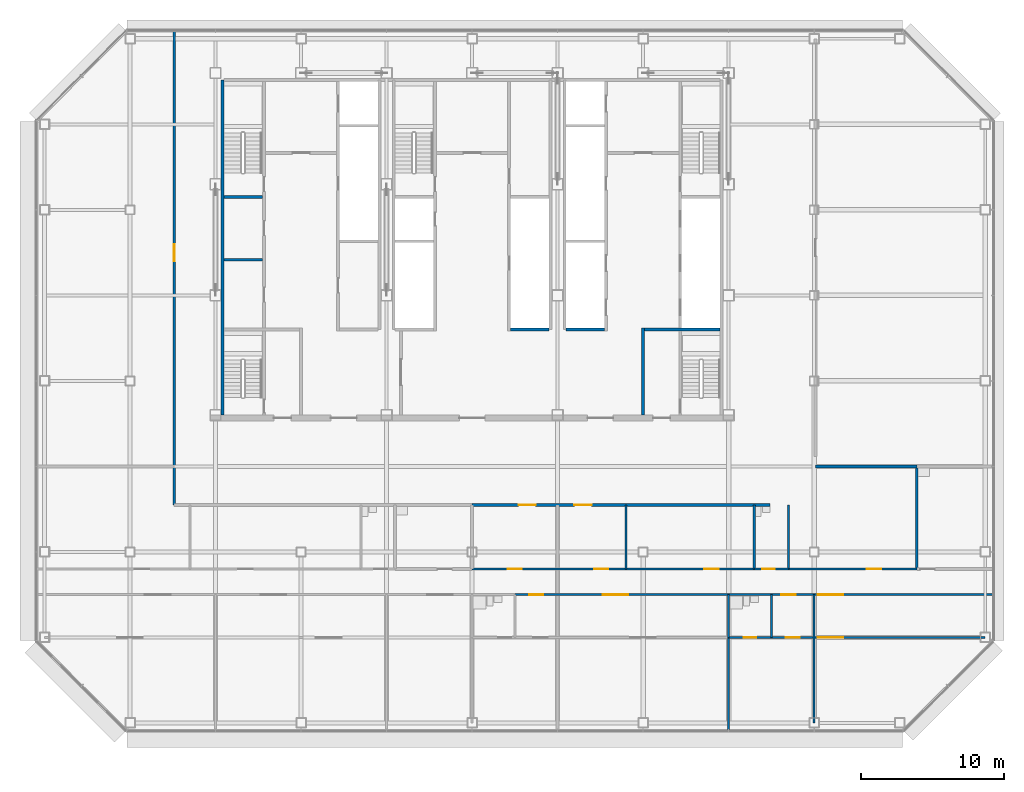
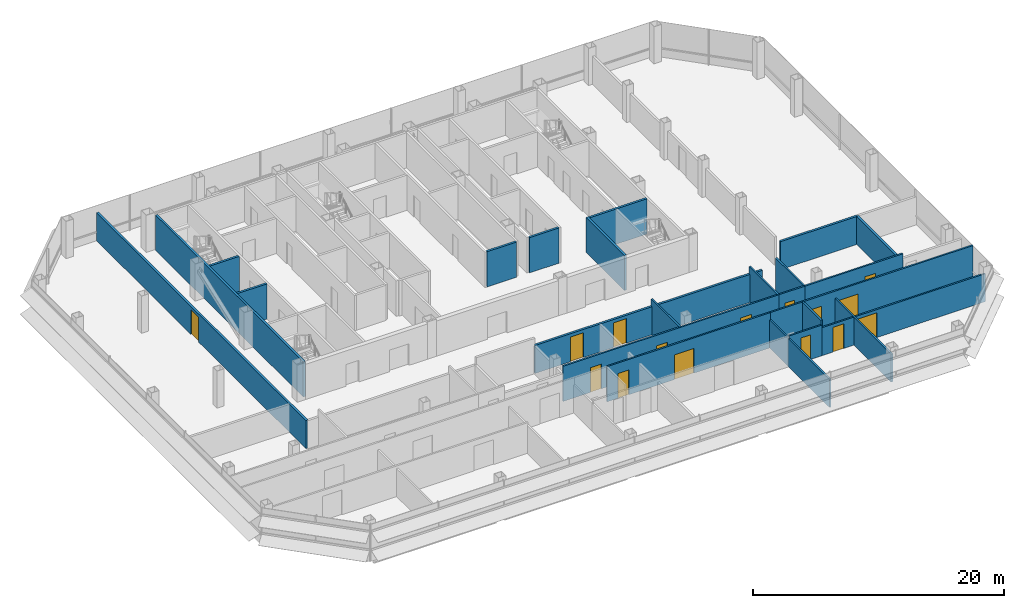
# One storey, part 20 of 24: 26 walls, 15 doors, 15 openings.
"""IFC4 building model written with IfcOpenShell, lengths in metres."""

from ifc_helpers import new_model, si_unit, direction, frame, frame_2d, origin, place, context, subcontext, project, spatial, rectangle, extrude, material, layer, layer_set, type_object, element, fill, save


model = new_model("IFC4")

# Units and contexts
model_context = context("Model", 3, precision=1e-05, world=origin(), true_north=direction((0.0, 1.0)))
body_context = subcontext(model_context, "Body", "Model", "MODEL_VIEW")
ifc_project = project(units=[si_unit("LENGTHUNIT", "METRE"), si_unit("AREAUNIT", "SQUARE_METRE"), si_unit("VOLUMEUNIT", "CUBIC_METRE"), si_unit("PLANEANGLEUNIT", "RADIAN"), si_unit("MASSUNIT", "GRAM", prefix="KILO")], contexts=[model_context])

# Site, building, storey
site_placement = place(None, origin())
site = spatial("IfcSite", under=ifc_project, at=site_placement, CompositionType="ELEMENT")
building_placement = place(site_placement, origin())
building = spatial("IfcBuilding", under=site, at=building_placement, Name="Sorahane Residences", CompositionType="ELEMENT")
storey_placement = place(building_placement, frame((0.0, 0.0, 174.39990234375)))
storey = spatial("IfcBuildingStorey", under=building, at=storey_placement, Name="L40", CompositionType="ELEMENT", Elevation=174.39990234375)

# Wall
ifc_material_1 = material(Name="Concrete C30", Category="concrete")
ifc_layer_1 = layer(ifc_material_1, 0.199951171875)
ifc_layer_set_1 = layer_set([ifc_layer_1], Name="Core face wall 200 EI 180")
wall_type_1 = type_object("IfcWallType", Name="Core face wall 200 EI 180", PredefinedType="SOLIDWALL", material=ifc_layer_set_1)
wall_1_placement = place(storey_placement, frame((6.5, 21.60009765625, 0.0), z_axis=(0.0, 0.0, 1.0), x_axis=(0.0, 1.0, 0.0)))
element("IfcWall", 1, at=wall_1_placement, inside=storey, type_object=wall_type_1, Name="L40 core face wall", PredefinedType="SOLIDWALL", context=body_context, shape_type="SweptSolid", body=[
    extrude(rectangle(XDim=23.5, YDim=0.199951171875, at=frame_2d((11.75, 0.0))), origin(), (0.0, 0.0, 1.0), 3.420166015625),
])

# Wall, opening, door
ifc_material_2 = material(Name="Concrete blockwork C20 wall", Category="masonry")
ifc_layer_2 = layer(ifc_material_2, 0.199951171875)
ifc_layer_set_2 = layer_set([ifc_layer_2], Name="Corridor wall 200 EI 120")
wall_type_2 = type_object("IfcWallType", Name="Corridor wall 200 EI 120", PredefinedType="SOLIDWALL", material=ifc_layer_set_2)
wall_2_placement = place(storey_placement, frame((3.10009765625, 15.300048828125, 0.0), z_axis=(0.0, 0.0, 1.0), x_axis=(0.0, 1.0, 0.0)))
wall_2 = element("IfcWall", 2, at=wall_2_placement, inside=storey, type_object=wall_type_2, Name="L40 corridor wall", PredefinedType="SOLIDWALL", context=body_context, shape_type="SweptSolid", body=[
    extrude(rectangle(XDim=33.300048828125, YDim=0.199951171875, at=frame_2d((16.64990234375, 0.0))), origin(), (0.0, 0.0, 1.0), 2.72021484375),
])
opening_1_placement = place(wall_2_placement, frame((17.10009765625, 0.0, 0.0)))
opening_1 = element("IfcOpeningElement", 3, at=opening_1_placement, cuts=wall_2, Name="Opening L40-28", PredefinedType="OPENING", context=body_context, shape_type="SweptSolid", body=[
    extrude(rectangle(XDim=1.199951171875, YDim=2.39990234375, at=frame_2d((0.60009765625, 1.199951171875))), frame((0.0, 0.10986328125, 0.0), z_axis=(0.0, -1.0, 0.0), x_axis=(1.0, 0.0, 0.0)), (0.0, 0.0, 1.0), 0.219970703125),
])
ifc_material_3 = material(Name="Steel", Category="steel")
door_type_1 = type_object("IfcDoorType", Name="Lobby door 1200x2400 FD60", OperationType="NOTDEFINED", PredefinedType="DOOR", material=ifc_material_3)
door_1_placement = place(opening_1_placement, origin())
door_1 = element("IfcDoor", 4, at=door_1_placement, inside=storey, type_object=door_type_1, Name="Lobby door L40-28", OperationType="SINGLE_SWING_LEFT", OverallHeight=2.39990234375, OverallWidth=1.199951171875, PredefinedType="DOOR", context=body_context, shape_type="SweptSolid", body=[
    extrude(rectangle(XDim=1.199951171875, YDim=2.39990234375, at=frame_2d((0.60009765625, 1.199951171875))), frame((0.0, 0.02490234375, 0.0), z_axis=(0.0, -1.0, 0.0), x_axis=(1.0, 0.0, 0.0)), (0.0, 0.0, 1.0), 0.050048828125),
])
fill(opening_1, door_1)

# Wall, openings, doors
wall_3_placement = place(storey_placement, frame((24.0, 15.300048828125, 0.0), z_axis=(0.0, 0.0, 1.0), x_axis=(1.0, 0.0, 0.0)))
wall_3 = element("IfcWall", 5, at=wall_3_placement, inside=storey, type_object=wall_type_2, Name="L40 corridor wall", PredefinedType="SOLIDWALL", context=body_context, shape_type="SweptSolid", body=[
    extrude(rectangle(XDim=20.89990234375, YDim=0.199951171875, at=frame_2d((10.449951171875, 0.0))), origin(), (0.0, 0.0, 1.0), 2.72021484375),
])
opening_2_placement = place(wall_3_placement, frame((3.260009765625, 0.0, 0.0)))
opening_2 = element("IfcOpeningElement", 6, at=opening_2_placement, cuts=wall_3, Name="Opening L40-26", PredefinedType="OPENING", context=body_context, shape_type="SweptSolid", body=[
    extrude(rectangle(XDim=1.199951171875, YDim=2.39990234375, at=frame_2d((0.60009765625, 1.199951171875))), frame((0.0, 0.10986328125, 0.0), z_axis=(0.0, -1.0, 0.0), x_axis=(1.0, 0.0, 0.0)), (0.0, 0.0, 1.0), 0.219970703125),
])
opening_3_placement = place(wall_3_placement, frame((7.179931640625, 0.0, 0.0)))
opening_3 = element("IfcOpeningElement", 7, at=opening_3_placement, cuts=wall_3, Name="Opening L40-27", PredefinedType="OPENING", context=body_context, shape_type="SweptSolid", body=[
    extrude(rectangle(XDim=1.199951171875, YDim=2.39990234375, at=frame_2d((0.60009765625, 1.199951171875))), frame((0.0, 0.10986328125, 0.0), z_axis=(0.0, -1.0, 0.0), x_axis=(1.0, 0.0, 0.0)), (0.0, 0.0, 1.0), 0.219970703125),
])
ifc_material_4 = material(Name="Timber veneered fire door", Category="wood")
door_type_2 = type_object("IfcDoorType", Name="Flat entrance door 1200x2400 FD60", OperationType="NOTDEFINED", PredefinedType="DOOR", material=ifc_material_4)
door_2_placement = place(opening_2_placement, frame((1.199951171875, 0.0, 0.0), z_axis=(0.0, 0.0, 1.0), x_axis=(-1.0, 0.0, 0.0)))
door_2 = element("IfcDoor", 8, at=door_2_placement, inside=storey, type_object=door_type_2, Name="Flat entrance door L40-26", OperationType="SINGLE_SWING_RIGHT", OverallHeight=2.39990234375, OverallWidth=1.199951171875, PredefinedType="DOOR", context=body_context, shape_type="SweptSolid", body=[
    extrude(rectangle(XDim=1.199951171875, YDim=2.39990234375, at=frame_2d((0.60009765625, 1.199951171875))), frame((0.0, 0.02490234375, 0.0), z_axis=(0.0, -1.0, 0.0), x_axis=(1.0, 0.0, 0.0)), (0.0, 0.0, 1.0), 0.050048828125),
])
fill(opening_2, door_2)
door_3_placement = place(opening_3_placement, frame((1.199951171875, 0.0, 0.0), z_axis=(0.0, 0.0, 1.0), x_axis=(-1.0, 0.0, 0.0)))
door_3 = element("IfcDoor", 9, at=door_3_placement, inside=storey, type_object=door_type_2, Name="Flat entrance door L40-27", OperationType="SINGLE_SWING_LEFT", OverallHeight=2.39990234375, OverallWidth=1.199951171875, PredefinedType="DOOR", context=body_context, shape_type="SweptSolid", body=[
    extrude(rectangle(XDim=1.199951171875, YDim=2.39990234375, at=frame_2d((0.60009765625, 1.199951171875))), frame((0.0, 0.02490234375, 0.0), z_axis=(0.0, -1.0, 0.0), x_axis=(1.0, 0.0, 0.0)), (0.0, 0.0, 1.0), 0.050048828125),
])
fill(opening_3, door_3)

# Walls
wall_4_placement = place(storey_placement, frame((48.10009765625, 18.0, 0.0), z_axis=(0.0, 0.0, 1.0), x_axis=(1.0, 0.0, 0.0)))
element("IfcWall", 10, at=wall_4_placement, inside=storey, type_object=wall_type_2, Name="L40 corridor wall", PredefinedType="SOLIDWALL", context=body_context, shape_type="SweptSolid", body=[
    extrude(rectangle(XDim=7.099853515625, YDim=0.199951171875, at=frame_2d((3.5498046875, 0.0))), origin(), (0.0, 0.0, 1.0), 2.72021484375),
])
ifc_material_5 = material(Name="Concrete C30", Category="concrete")
ifc_layer_3 = layer(ifc_material_5, 0.199951171875)
ifc_layer_set_3 = layer_set([ifc_layer_3], Name="Front room wall 200 EI 120")
wall_type_3 = type_object("IfcWallType", Name="Front room wall 200 EI 120", PredefinedType="PARTITIONING", material=ifc_layer_set_3)
wall_5_placement = place(storey_placement, frame((36.0, 21.60009765625, 0.0), z_axis=(0.0, 0.0, 1.0), x_axis=(0.0, 1.0, 0.0)))
element("IfcWall", 11, at=wall_5_placement, inside=storey, type_object=wall_type_3, Name="L40 front room wall", PredefinedType="PARTITIONING", context=body_context, shape_type="SweptSolid", body=[
    extrude(rectangle(XDim=6.099853515625, YDim=0.199951171875, at=frame_2d((3.0498046875, 0.0))), origin(), (0.0, 0.0, 1.0), 3.420166015625),
])
ifc_material_6 = material(Name="Concrete blockwork C20 wall", Category="masonry")
ifc_layer_4 = layer(ifc_material_6, 0.199951171875)
ifc_layer_set_4 = layer_set([ifc_layer_4], Name="Kitchen wall 200 EI 180")
wall_type_4 = type_object("IfcWallType", Name="Kitchen wall 200 EI 180", PredefinedType="SOLIDWALL", material=ifc_layer_set_4)
wall_6_placement = place(storey_placement, frame((55.199951171875, 10.800048828125, 0.0), z_axis=(0.0, 0.0, 1.0), x_axis=(0.0, 1.0, 0.0)))
element("IfcWall", 12, at=wall_6_placement, inside=storey, type_object=wall_type_4, Name="L40 kitchen wall", PredefinedType="SOLIDWALL", context=body_context, shape_type="SweptSolid", body=[
    extrude(rectangle(XDim=7.199951171875, YDim=0.199951171875, at=frame_2d((3.60009765625, 0.0))), origin(), (0.0, 0.0, 1.0), 2.72021484375),
])
ifc_material_7 = material(Name="Concrete C30", Category="concrete")
ifc_layer_5 = layer(ifc_material_7, 0.199951171875)
ifc_layer_set_5 = layer_set([ifc_layer_5], Name="Lift shaft wall 200 EI 120")
wall_type_5 = type_object("IfcWallType", Name="Lift shaft wall 200 EI 120", PredefinedType="SOLIDWALL", material=ifc_layer_set_5)
wall_7_placement = place(storey_placement, frame((30.60009765625, 27.60009765625, 0.0), z_axis=(0.0, 0.0, 1.0), x_axis=(1.0, 0.0, 0.0)))
element("IfcWall", 13, at=wall_7_placement, inside=storey, type_object=wall_type_5, Name="L40 lift shaft wall", PredefinedType="SOLIDWALL", context=body_context, shape_type="SweptSolid", body=[
    extrude(rectangle(XDim=2.699951171875, YDim=0.199951171875, at=frame_2d((1.35009765625, 0.0))), origin(), (0.0, 0.0, 1.0), 3.420166015625),
])
ifc_material_8 = material(Name="Gypsum board partition on steel studs", Category="steel")
ifc_layer_6 = layer(ifc_material_8, 0.14990234375)
ifc_layer_set_6 = layer_set([ifc_layer_6], Name="Partition 150 EI 90")
wall_type_6 = type_object("IfcWallType", Name="Partition 150 EI 90", PredefinedType="PARTITIONING", material=ifc_layer_set_6)
wall_8_placement = place(storey_placement, frame((34.800048828125, 10.800048828125, 0.0), z_axis=(0.0, 0.0, 1.0), x_axis=(0.0, 1.0, 0.0)))
element("IfcWall", 14, at=wall_8_placement, inside=storey, type_object=wall_type_6, Name="L40 partition", PredefinedType="PARTITIONING", context=body_context, shape_type="SweptSolid", body=[
    extrude(rectangle(XDim=4.5, YDim=0.14990234375, at=frame_2d((2.25, 0.0))), origin(), (0.0, 0.0, 1.0), 3.420166015625),
])
wall_9_placement = place(storey_placement, frame((42.0, -0.60009765625, 0.0), z_axis=(0.0, 0.0, 1.0), x_axis=(0.0, 1.0, 0.0)))
element("IfcWall", 15, at=wall_9_placement, inside=storey, type_object=wall_type_6, Name="L40 partition", PredefinedType="PARTITIONING", context=body_context, shape_type="SweptSolid", body=[
    extrude(rectangle(XDim=6.60009765625, YDim=0.14990234375, at=frame_2d((3.300048828125, 0.0))), origin(), (0.0, 0.0, 1.0), 2.72021484375),
])
wall_10_placement = place(storey_placement, frame((48.0, 0.0, 0.0), z_axis=(0.0, 0.0, 1.0), x_axis=(0.0, 1.0, 0.0)))
element("IfcWall", 16, at=wall_10_placement, inside=storey, type_object=wall_type_6, Name="L40 partition", PredefinedType="PARTITIONING", context=body_context, shape_type="SweptSolid", body=[
    extrude(rectangle(XDim=9.0, YDim=0.14990234375, at=frame_2d((4.5, 0.0))), origin(), (0.0, 0.0, 1.0), 2.72021484375),
])

# Wall, openings, doors
wall_11_placement = place(storey_placement, frame((24.0, 10.800048828125, 0.0), z_axis=(0.0, 0.0, 1.0), x_axis=(1.0, 0.0, 0.0)))
wall_11 = element("IfcWall", 17, at=wall_11_placement, inside=storey, type_object=wall_type_6, Name="L40 partition", PredefinedType="PARTITIONING", context=body_context, shape_type="SweptSolid", body=[
    extrude(rectangle(XDim=19.800048828125, YDim=0.14990234375, at=frame_2d((9.89990234375, 0.0))), origin(), (0.0, 0.0, 1.0), 3.420166015625),
])
opening_4_placement = place(wall_11_placement, frame((2.5, 0.0, 0.0)))
opening_4 = element("IfcOpeningElement", 18, at=opening_4_placement, cuts=wall_11, Name="Opening L40-01", PredefinedType="OPENING", context=body_context, shape_type="SweptSolid", body=[
    extrude(rectangle(XDim=1.0, YDim=2.39990234375, at=frame_2d((0.5, 1.199951171875))), frame((0.0, 0.0849609375, 0.0), z_axis=(0.0, -1.0, 0.0), x_axis=(1.0, 0.0, 0.0)), (0.0, 0.0, 1.0), 0.169921875),
])
opening_5_placement = place(wall_11_placement, frame((8.56005859375, 0.0, 0.0)))
opening_5 = element("IfcOpeningElement", 19, at=opening_5_placement, cuts=wall_11, Name="Opening L40-14", PredefinedType="OPENING", context=body_context, shape_type="SweptSolid", body=[
    extrude(rectangle(XDim=1.0, YDim=2.39990234375, at=frame_2d((0.5, 1.199951171875))), frame((0.0, 0.0849609375, 0.0), z_axis=(0.0, -1.0, 0.0), x_axis=(1.0, 0.0, 0.0)), (0.0, 0.0, 1.0), 0.169921875),
])
opening_6_placement = place(wall_11_placement, frame((16.300048828125, 0.0, 0.0)))
opening_6 = element("IfcOpeningElement", 20, at=opening_6_placement, cuts=wall_11, Name="Opening L40-15", PredefinedType="OPENING", context=body_context, shape_type="SweptSolid", body=[
    extrude(rectangle(XDim=1.0, YDim=2.39990234375, at=frame_2d((0.5, 1.199951171875))), frame((0.0, 0.0849609375, 0.0), z_axis=(0.0, -1.0, 0.0), x_axis=(1.0, 0.0, 0.0)), (0.0, 0.0, 1.0), 0.169921875),
])
ifc_material_9 = material(Name="Timber veneered fire door", Category="wood")
door_type_3 = type_object("IfcDoorType", Name="Room door 1000x2400 FD30", OperationType="NOTDEFINED", PredefinedType="DOOR", material=ifc_material_9)
door_4_placement = place(opening_4_placement, frame((1.0, 0.0, 0.0), z_axis=(0.0, 0.0, 1.0), x_axis=(-1.0, 0.0, 0.0)))
door_4 = element("IfcDoor", 21, at=door_4_placement, inside=storey, type_object=door_type_3, Name="Room door L40-01", OperationType="SINGLE_SWING_RIGHT", OverallHeight=2.39990234375, OverallWidth=1.0, PredefinedType="DOOR", context=body_context, shape_type="SweptSolid", body=[
    extrude(rectangle(XDim=1.0, YDim=2.39990234375, at=frame_2d((0.5, 1.199951171875))), frame((0.0, 0.02490234375, 0.0), z_axis=(0.0, -1.0, 0.0), x_axis=(1.0, 0.0, 0.0)), (0.0, 0.0, 1.0), 0.050048828125),
])
fill(opening_4, door_4)
door_5_placement = place(opening_5_placement, frame((1.0, 0.0, 0.0), z_axis=(0.0, 0.0, 1.0), x_axis=(-1.0, 0.0, 0.0)))
door_5 = element("IfcDoor", 22, at=door_5_placement, inside=storey, type_object=door_type_3, Name="Room door L40-14", OperationType="SINGLE_SWING_RIGHT", OverallHeight=2.39990234375, OverallWidth=1.0, PredefinedType="DOOR", context=body_context, shape_type="SweptSolid", body=[
    extrude(rectangle(XDim=1.0, YDim=2.39990234375, at=frame_2d((0.5, 1.199951171875))), frame((0.0, 0.02490234375, 0.0), z_axis=(0.0, -1.0, 0.0), x_axis=(1.0, 0.0, 0.0)), (0.0, 0.0, 1.0), 0.050048828125),
])
fill(opening_5, door_5)
door_6_placement = place(opening_6_placement, origin())
door_6 = element("IfcDoor", 23, at=door_6_placement, inside=storey, type_object=door_type_3, Name="Room door L40-15", OperationType="SINGLE_SWING_RIGHT", OverallHeight=2.39990234375, OverallWidth=1.0, PredefinedType="DOOR", context=body_context, shape_type="SweptSolid", body=[
    extrude(rectangle(XDim=1.0, YDim=2.39990234375, at=frame_2d((0.5, 1.199951171875))), frame((0.0, 0.02490234375, 0.0), z_axis=(0.0, -1.0, 0.0), x_axis=(1.0, 0.0, 0.0)), (0.0, 0.0, 1.0), 0.050048828125),
])
fill(opening_6, door_6)

# Wall, opening, door
wall_12_placement = place(storey_placement, frame((46.199951171875, 10.800048828125, 0.0), z_axis=(0.0, 0.0, 1.0), x_axis=(1.0, 0.0, 0.0)))
wall_12 = element("IfcWall", 24, at=wall_12_placement, inside=storey, type_object=wall_type_6, Name="L40 partition", PredefinedType="PARTITIONING", context=body_context, shape_type="SweptSolid", body=[
    extrude(rectangle(XDim=9.0, YDim=0.14990234375, at=frame_2d((4.5, 0.0))), origin(), (0.0, 0.0, 1.0), 3.420166015625),
])
opening_7_placement = place(wall_12_placement, frame((5.5, 0.0, 0.0)))
opening_7 = element("IfcOpeningElement", 25, at=opening_7_placement, cuts=wall_12, Name="Opening L40-17", PredefinedType="OPENING", context=body_context, shape_type="SweptSolid", body=[
    extrude(rectangle(XDim=1.0, YDim=2.39990234375, at=frame_2d((0.5, 1.199951171875))), frame((0.0, 0.0849609375, 0.0), z_axis=(0.0, -1.0, 0.0), x_axis=(1.0, 0.0, 0.0)), (0.0, 0.0, 1.0), 0.169921875),
])
door_7_placement = place(opening_7_placement, origin())
door_7 = element("IfcDoor", 26, at=door_7_placement, inside=storey, type_object=door_type_3, Name="Room door L40-17", OperationType="SINGLE_SWING_RIGHT", OverallHeight=2.39990234375, OverallWidth=1.0, PredefinedType="DOOR", context=body_context, shape_type="SweptSolid", body=[
    extrude(rectangle(XDim=1.0, YDim=2.39990234375, at=frame_2d((0.5, 1.199951171875))), frame((0.0, 0.02490234375, 0.0), z_axis=(0.0, -1.0, 0.0), x_axis=(1.0, 0.0, 0.0)), (0.0, 0.0, 1.0), 0.050048828125),
])
fill(opening_7, door_7)

# Wall, openings, doors
wall_13_placement = place(storey_placement, frame((45.0, 6.0, 0.0), z_axis=(0.0, 0.0, 1.0), x_axis=(1.0, 0.0, 0.0)))
wall_13 = element("IfcWall", 27, at=wall_13_placement, inside=storey, type_object=wall_type_6, Name="L40 partition", PredefinedType="PARTITIONING", context=body_context, shape_type="SweptSolid", body=[
    extrude(rectangle(XDim=15.0, YDim=0.14990234375, at=frame_2d((7.5, 0.0))), origin(), (0.0, 0.0, 1.0), 2.72021484375),
])
opening_8_placement = place(wall_13_placement, frame((1.0, 0.0, 0.0)))
opening_8 = element("IfcOpeningElement", 28, at=opening_8_placement, cuts=wall_13, Name="Opening L40-23", PredefinedType="OPENING", context=body_context, shape_type="SweptSolid", body=[
    extrude(rectangle(XDim=1.0, YDim=2.39990234375, at=frame_2d((0.5, 1.199951171875))), frame((0.0, 0.0849609375, 0.0), z_axis=(0.0, -1.0, 0.0), x_axis=(1.0, 0.0, 0.0)), (0.0, 0.0, 1.0), 0.169921875),
])
opening_9_placement = place(wall_13_placement, frame((3.25, 0.0, 0.0)))
opening_9 = element("IfcOpeningElement", 29, at=opening_9_placement, cuts=wall_13, Name="Opening L40-25", PredefinedType="OPENING", context=body_context, shape_type="SweptSolid", body=[
    extrude(rectangle(XDim=1.800048828125, YDim=2.39990234375, at=frame_2d((0.89990234375, 1.199951171875))), frame((0.0, 0.0849609375, 0.0), z_axis=(0.0, -1.0, 0.0), x_axis=(1.0, 0.0, 0.0)), (0.0, 0.0, 1.0), 0.169921875),
])
ifc_material_10 = material(Name="Timber veneered fire door", Category="wood")
door_type_4 = type_object("IfcDoorType", Name="Double door 1800x2400 FD30", OperationType="NOTDEFINED", PredefinedType="DOOR", material=ifc_material_10)
door_8_placement = place(opening_9_placement, frame((1.800048828125, 0.0, 0.0), z_axis=(0.0, 0.0, 1.0), x_axis=(-1.0, 0.0, 0.0)))
door_8 = element("IfcDoor", 30, at=door_8_placement, inside=storey, type_object=door_type_4, Name="Double door L40-25", OperationType="SINGLE_SWING_RIGHT", OverallHeight=2.39990234375, OverallWidth=1.800048828125, PredefinedType="DOOR", context=body_context, shape_type="SweptSolid", body=[
    extrude(rectangle(XDim=1.800048828125, YDim=2.39990234375, at=frame_2d((0.89990234375, 1.199951171875))), frame((0.0, 0.02490234375, 0.0), z_axis=(0.0, -1.0, 0.0), x_axis=(1.0, 0.0, 0.0)), (0.0, 0.0, 1.0), 0.050048828125),
])
fill(opening_9, door_8)
door_9_placement = place(opening_8_placement, frame((1.0, 0.0, 0.0), z_axis=(0.0, 0.0, 1.0), x_axis=(-1.0, 0.0, 0.0)))
door_9 = element("IfcDoor", 31, at=door_9_placement, inside=storey, type_object=door_type_3, Name="Room door L40-23", OperationType="SINGLE_SWING_LEFT", OverallHeight=2.39990234375, OverallWidth=1.0, PredefinedType="DOOR", context=body_context, shape_type="SweptSolid", body=[
    extrude(rectangle(XDim=1.0, YDim=2.39990234375, at=frame_2d((0.5, 1.199951171875))), frame((0.0, 0.02490234375, 0.0), z_axis=(0.0, -1.0, 0.0), x_axis=(1.0, 0.0, 0.0)), (0.0, 0.0, 1.0), 0.050048828125),
])
fill(opening_8, door_9)

wall_14_placement = place(storey_placement, frame((27.0, 9.0, 0.0), z_axis=(0.0, 0.0, 1.0), x_axis=(1.0, 0.0, 0.0)))
wall_14 = element("IfcWall", 32, at=wall_14_placement, inside=storey, type_object=wall_type_6, Name="L40 partition", PredefinedType="PARTITIONING", context=body_context, shape_type="SweptSolid", body=[
    extrude(rectangle(XDim=15.0, YDim=0.14990234375, at=frame_2d((7.5, 0.0))), origin(), (0.0, 0.0, 1.0), 3.420166015625),
])
opening_10_placement = place(wall_14_placement, frame((1.0, 0.0, 0.0)))
opening_10 = element("IfcOpeningElement", 33, at=opening_10_placement, cuts=wall_14, Name="Opening L40-09", PredefinedType="OPENING", context=body_context, shape_type="SweptSolid", body=[
    extrude(rectangle(XDim=1.0, YDim=2.39990234375, at=frame_2d((0.5, 1.199951171875))), frame((0.0, 0.0849609375, 0.0), z_axis=(0.0, -1.0, 0.0), x_axis=(1.0, 0.0, 0.0)), (0.0, 0.0, 1.0), 0.169921875),
])
opening_11_placement = place(wall_14_placement, frame((6.159912109375, 0.0, 0.0)))
opening_11 = element("IfcOpeningElement", 34, at=opening_11_placement, cuts=wall_14, Name="Opening L40-19", PredefinedType="OPENING", context=body_context, shape_type="SweptSolid", body=[
    extrude(rectangle(XDim=1.800048828125, YDim=2.39990234375, at=frame_2d((0.89990234375, 1.199951171875))), frame((0.0, 0.0849609375, 0.0), z_axis=(0.0, -1.0, 0.0), x_axis=(1.0, 0.0, 0.0)), (0.0, 0.0, 1.0), 0.169921875),
])
door_10_placement = place(opening_11_placement, frame((1.800048828125, 0.0, 0.0), z_axis=(0.0, 0.0, 1.0), x_axis=(-1.0, 0.0, 0.0)))
door_10 = element("IfcDoor", 35, at=door_10_placement, inside=storey, type_object=door_type_4, Name="Double door L40-19", OperationType="SINGLE_SWING_RIGHT", OverallHeight=2.39990234375, OverallWidth=1.800048828125, PredefinedType="DOOR", context=body_context, shape_type="SweptSolid", body=[
    extrude(rectangle(XDim=1.800048828125, YDim=2.39990234375, at=frame_2d((0.89990234375, 1.199951171875))), frame((0.0, 0.02490234375, 0.0), z_axis=(0.0, -1.0, 0.0), x_axis=(1.0, 0.0, 0.0)), (0.0, 0.0, 1.0), 0.050048828125),
])
fill(opening_11, door_10)
door_11_placement = place(opening_10_placement, frame((1.0, 0.0, 0.0), z_axis=(0.0, 0.0, 1.0), x_axis=(-1.0, 0.0, 0.0)))
door_11 = element("IfcDoor", 36, at=door_11_placement, inside=storey, type_object=door_type_3, Name="Room door L40-09", OperationType="SINGLE_SWING_LEFT", OverallHeight=2.39990234375, OverallWidth=1.0, PredefinedType="DOOR", context=body_context, shape_type="SweptSolid", body=[
    extrude(rectangle(XDim=1.0, YDim=2.39990234375, at=frame_2d((0.5, 1.199951171875))), frame((0.0, 0.02490234375, 0.0), z_axis=(0.0, -1.0, 0.0), x_axis=(1.0, 0.0, 0.0)), (0.0, 0.0, 1.0), 0.050048828125),
])
fill(opening_10, door_11)

wall_15_placement = place(storey_placement, frame((45.0, 9.0, 0.0), z_axis=(0.0, 0.0, 1.0), x_axis=(1.0, 0.0, 0.0)))
wall_15 = element("IfcWall", 37, at=wall_15_placement, inside=storey, type_object=wall_type_6, Name="L40 partition", PredefinedType="PARTITIONING", context=body_context, shape_type="SweptSolid", body=[
    extrude(rectangle(XDim=15.60009765625, YDim=0.14990234375, at=frame_2d((7.800048828125, 0.0))), origin(), (0.0, 0.0, 1.0), 3.420166015625),
])
opening_12_placement = place(wall_15_placement, frame((0.699951171875, 0.0, 0.0)))
opening_12 = element("IfcOpeningElement", 38, at=opening_12_placement, cuts=wall_15, Name="Opening L40-20", PredefinedType="OPENING", context=body_context, shape_type="SweptSolid", body=[
    extrude(rectangle(XDim=1.0, YDim=2.39990234375, at=frame_2d((0.5, 1.199951171875))), frame((0.0, 0.0849609375, 0.0), z_axis=(0.0, -1.0, 0.0), x_axis=(1.0, 0.0, 0.0)), (0.0, 0.0, 1.0), 0.169921875),
])
opening_13_placement = place(wall_15_placement, frame((3.25, 0.0, 0.0)))
opening_13 = element("IfcOpeningElement", 39, at=opening_13_placement, cuts=wall_15, Name="Opening L40-21", PredefinedType="OPENING", context=body_context, shape_type="SweptSolid", body=[
    extrude(rectangle(XDim=1.800048828125, YDim=2.39990234375, at=frame_2d((0.89990234375, 1.199951171875))), frame((0.0, 0.0849609375, 0.0), z_axis=(0.0, -1.0, 0.0), x_axis=(1.0, 0.0, 0.0)), (0.0, 0.0, 1.0), 0.169921875),
])
door_12_placement = place(opening_13_placement, frame((1.800048828125, 0.0, 0.0), z_axis=(0.0, 0.0, 1.0), x_axis=(-1.0, 0.0, 0.0)))
door_12 = element("IfcDoor", 40, at=door_12_placement, inside=storey, type_object=door_type_4, Name="Double door L40-21", OperationType="SINGLE_SWING_LEFT", OverallHeight=2.39990234375, OverallWidth=1.800048828125, PredefinedType="DOOR", context=body_context, shape_type="SweptSolid", body=[
    extrude(rectangle(XDim=1.800048828125, YDim=2.39990234375, at=frame_2d((0.89990234375, 1.199951171875))), frame((0.0, 0.02490234375, 0.0), z_axis=(0.0, -1.0, 0.0), x_axis=(1.0, 0.0, 0.0)), (0.0, 0.0, 1.0), 0.050048828125),
])
fill(opening_13, door_12)
door_13_placement = place(opening_12_placement, frame((1.0, 0.0, 0.0), z_axis=(0.0, 0.0, 1.0), x_axis=(-1.0, 0.0, 0.0)))
door_13 = element("IfcDoor", 41, at=door_13_placement, inside=storey, type_object=door_type_3, Name="Room door L40-20", OperationType="SINGLE_SWING_RIGHT", OverallHeight=2.39990234375, OverallWidth=1.0, PredefinedType="DOOR", context=body_context, shape_type="SweptSolid", body=[
    extrude(rectangle(XDim=1.0, YDim=2.39990234375, at=frame_2d((0.5, 1.199951171875))), frame((0.0, 0.02490234375, 0.0), z_axis=(0.0, -1.0, 0.0), x_axis=(1.0, 0.0, 0.0)), (0.0, 0.0, 1.0), 0.050048828125),
])
fill(opening_12, door_13)

# Walls
ifc_material_11 = material(Name="Concrete C30", Category="concrete")
ifc_layer_7 = layer(ifc_material_11, 0.199951171875)
ifc_layer_set_7 = layer_set([ifc_layer_7], Name="Riser shaft wall 200 EI 120")
wall_type_7 = type_object("IfcWallType", Name="Riser shaft wall 200 EI 120", PredefinedType="SOLIDWALL", material=ifc_layer_set_7)
wall_16_placement = place(storey_placement, frame((26.699951171875, 27.60009765625, 0.0), z_axis=(0.0, 0.0, 1.0), x_axis=(1.0, 0.0, 0.0)))
element("IfcWall", 42, at=wall_16_placement, inside=storey, type_object=wall_type_7, Name="L40 riser wall", PredefinedType="SOLIDWALL", context=body_context, shape_type="SweptSolid", body=[
    extrude(rectangle(XDim=2.699951171875, YDim=0.199951171875, at=frame_2d((1.35009765625, 0.0))), origin(), (0.0, 0.0, 1.0), 3.420166015625),
])
ifc_material_12 = material(Name="Concrete C30", Category="concrete")
ifc_layer_8 = layer(ifc_material_12, 0.199951171875)
ifc_layer_set_8 = layer_set([ifc_layer_8], Name="Service room partition 200 EI 60")
wall_type_8 = type_object("IfcWallType", Name="Service room partition 200 EI 60", PredefinedType="PARTITIONING", material=ifc_layer_set_8)
wall_17_placement = place(storey_placement, frame((6.60009765625, 32.5, 0.0), z_axis=(0.0, 0.0, 1.0), x_axis=(1.0, 0.0, 0.0)))
element("IfcWall", 43, at=wall_17_placement, inside=storey, type_object=wall_type_8, Name="L40 service room wall", PredefinedType="PARTITIONING", context=body_context, shape_type="SweptSolid", body=[
    extrude(rectangle(XDim=2.699951171875, YDim=0.199951171875, at=frame_2d((1.35009765625, 0.0))), origin(), (0.0, 0.0, 1.0), 3.420166015625),
])
ifc_material_13 = material(Name="Concrete C30", Category="concrete")
ifc_layer_9 = layer(ifc_material_13, 0.199951171875)
ifc_layer_set_9 = layer_set([ifc_layer_9], Name="Stair enclosure wall 200 EI 120")
wall_type_9 = type_object("IfcWallType", Name="Stair enclosure wall 200 EI 120", PredefinedType="SOLIDWALL", material=ifc_layer_set_9)
wall_18_placement = place(storey_placement, frame((36.10009765625, 27.60009765625, 0.0), z_axis=(0.0, 0.0, 1.0), x_axis=(1.0, 0.0, 0.0)))
element("IfcWall", 44, at=wall_18_placement, inside=storey, type_object=wall_type_9, Name="L40 stair enclosure wall", PredefinedType="SOLIDWALL", context=body_context, shape_type="SweptSolid", body=[
    extrude(rectangle(XDim=5.2998046875, YDim=0.199951171875, at=frame_2d((2.64990234375, 0.0))), origin(), (0.0, 0.0, 1.0), 3.420166015625),
])
wall_19_placement = place(storey_placement, frame((6.60009765625, 36.89990234375, 0.0), z_axis=(0.0, 0.0, 1.0), x_axis=(1.0, 0.0, 0.0)))
element("IfcWall", 45, at=wall_19_placement, inside=storey, type_object=wall_type_9, Name="L40 stair enclosure wall", PredefinedType="SOLIDWALL", context=body_context, shape_type="SweptSolid", body=[
    extrude(rectangle(XDim=2.699951171875, YDim=0.199951171875, at=frame_2d((1.35009765625, 0.0))), origin(), (0.0, 0.0, 1.0), 3.420166015625),
])
ifc_material_14 = material(Name="Gypsum board partition on steel studs", Category="steel")
ifc_layer_10 = layer(ifc_material_14, 0.14990234375)
ifc_layer_set_10 = layer_set([ifc_layer_10], Name="Wet wall 150 EI 90")
wall_type_10 = type_object("IfcWallType", Name="Wet wall 150 EI 90", PredefinedType="PARTITIONING", material=ifc_layer_set_10)
wall_20_placement = place(storey_placement, frame((42.0, 6.0, 0.0), z_axis=(0.0, 0.0, 1.0), x_axis=(0.0, 1.0, 0.0)))
element("IfcWall", 46, at=wall_20_placement, inside=storey, type_object=wall_type_10, Name="L40 wet wall", PredefinedType="PARTITIONING", context=body_context, shape_type="SweptSolid", body=[
    extrude(rectangle(XDim=3.0, YDim=0.14990234375, at=frame_2d((1.5, 0.0))), origin(), (0.0, 0.0, 1.0), 2.72021484375),
])
wall_21_placement = place(storey_placement, frame((43.800048828125, 10.800048828125, 0.0), z_axis=(0.0, 0.0, 1.0), x_axis=(0.0, 1.0, 0.0)))
element("IfcWall", 47, at=wall_21_placement, inside=storey, type_object=wall_type_10, Name="L40 wet wall", PredefinedType="PARTITIONING", context=body_context, shape_type="SweptSolid", body=[
    extrude(rectangle(XDim=4.5, YDim=0.14990234375, at=frame_2d((2.25, 0.0))), origin(), (0.0, 0.0, 1.0), 3.420166015625),
])
wall_22_placement = place(storey_placement, frame((45.0, 6.0, 0.0), z_axis=(0.0, 0.0, 1.0), x_axis=(0.0, 1.0, 0.0)))
element("IfcWall", 48, at=wall_22_placement, inside=storey, type_object=wall_type_10, Name="L40 wet wall", PredefinedType="PARTITIONING", context=body_context, shape_type="SweptSolid", body=[
    extrude(rectangle(XDim=3.0, YDim=0.14990234375, at=frame_2d((1.5, 0.0))), origin(), (0.0, 0.0, 1.0), 3.420166015625),
])
wall_23_placement = place(storey_placement, frame((46.199951171875, 10.800048828125, 0.0), z_axis=(0.0, 0.0, 1.0), x_axis=(0.0, 1.0, 0.0)))
element("IfcWall", 49, at=wall_23_placement, inside=storey, type_object=wall_type_10, Name="L40 wet wall", PredefinedType="PARTITIONING", context=body_context, shape_type="SweptSolid", body=[
    extrude(rectangle(XDim=4.5, YDim=0.14990234375, at=frame_2d((2.25, 0.0))), origin(), (0.0, 0.0, 1.0), 3.420166015625),
])

# Wall, opening, door
wall_24_placement = place(storey_placement, frame((43.800048828125, 10.800048828125, 0.0), z_axis=(0.0, 0.0, 1.0), x_axis=(1.0, 0.0, 0.0)))
wall_24 = element("IfcWall", 50, at=wall_24_placement, inside=storey, type_object=wall_type_10, Name="L40 wet wall", PredefinedType="PARTITIONING", context=body_context, shape_type="SweptSolid", body=[
    extrude(rectangle(XDim=2.39990234375, YDim=0.14990234375, at=frame_2d((1.199951171875, 0.0))), origin(), (0.0, 0.0, 1.0), 3.420166015625),
])
opening_14_placement = place(wall_24_placement, frame((0.550048828125, 0.0, 0.0)))
opening_14 = element("IfcOpeningElement", 51, at=opening_14_placement, cuts=wall_24, Name="Opening L40-16", PredefinedType="OPENING", context=body_context, shape_type="SweptSolid", body=[
    extrude(rectangle(XDim=0.89990234375, YDim=2.39990234375, at=frame_2d((0.449951171875, 1.199951171875))), frame((0.0, 0.0849609375, 0.0), z_axis=(0.0, -1.0, 0.0), x_axis=(1.0, 0.0, 0.0)), (0.0, 0.0, 1.0), 0.169921875),
])
ifc_material_15 = material(Name="Timber veneered fire door", Category="wood")
door_type_5 = type_object("IfcDoorType", Name="Bathroom door 900x2400 FD30", OperationType="NOTDEFINED", PredefinedType="DOOR", material=ifc_material_15)
door_14_placement = place(opening_14_placement, frame((0.89990234375, 0.0, 0.0), z_axis=(0.0, 0.0, 1.0), x_axis=(-1.0, 0.0, 0.0)))
door_14 = element("IfcDoor", 52, at=door_14_placement, inside=storey, type_object=door_type_5, Name="Bathroom door L40-16", OperationType="SINGLE_SWING_LEFT", OverallHeight=2.39990234375, OverallWidth=0.89990234375, PredefinedType="DOOR", context=body_context, shape_type="SweptSolid", body=[
    extrude(rectangle(XDim=0.89990234375, YDim=2.39990234375, at=frame_2d((0.449951171875, 1.199951171875))), frame((0.0, 0.02490234375, 0.0), z_axis=(0.0, -1.0, 0.0), x_axis=(1.0, 0.0, 0.0)), (0.0, 0.0, 1.0), 0.050048828125),
])
fill(opening_14, door_14)

wall_25_placement = place(storey_placement, frame((42.0, 6.0, 0.0), z_axis=(0.0, 0.0, 1.0), x_axis=(1.0, 0.0, 0.0)))
wall_25 = element("IfcWall", 53, at=wall_25_placement, inside=storey, type_object=wall_type_10, Name="L40 wet wall", PredefinedType="PARTITIONING", context=body_context, shape_type="SweptSolid", body=[
    extrude(rectangle(XDim=3.0, YDim=0.14990234375, at=frame_2d((1.5, 0.0))), origin(), (0.0, 0.0, 1.0), 2.97021484375),
])
opening_15_placement = place(wall_25_placement, frame((1.050048828125, 0.0, 0.0)))
opening_15 = element("IfcOpeningElement", 54, at=opening_15_placement, cuts=wall_25, Name="Opening L40-24", PredefinedType="OPENING", context=body_context, shape_type="SweptSolid", body=[
    extrude(rectangle(XDim=0.89990234375, YDim=2.39990234375, at=frame_2d((0.449951171875, 1.199951171875))), frame((0.0, 0.0849609375, 0.0), z_axis=(0.0, -1.0, 0.0), x_axis=(1.0, 0.0, 0.0)), (0.0, 0.0, 1.0), 0.169921875),
])
door_15_placement = place(opening_15_placement, frame((0.89990234375, 0.0, 0.0), z_axis=(0.0, 0.0, 1.0), x_axis=(-1.0, 0.0, 0.0)))
door_15 = element("IfcDoor", 55, at=door_15_placement, inside=storey, type_object=door_type_5, Name="Bathroom door L40-24", OperationType="SINGLE_SWING_LEFT", OverallHeight=2.39990234375, OverallWidth=0.89990234375, PredefinedType="DOOR", context=body_context, shape_type="SweptSolid", body=[
    extrude(rectangle(XDim=0.89990234375, YDim=2.39990234375, at=frame_2d((0.449951171875, 1.199951171875))), frame((0.0, 0.02490234375, 0.0), z_axis=(0.0, -1.0, 0.0), x_axis=(1.0, 0.0, 0.0)), (0.0, 0.0, 1.0), 0.050048828125),
])
fill(opening_15, door_15)

# Wall
wall_26_placement = place(storey_placement, frame((42.0, 9.0, 0.0), z_axis=(0.0, 0.0, 1.0), x_axis=(1.0, 0.0, 0.0)))
element("IfcWall", 56, at=wall_26_placement, inside=storey, type_object=wall_type_10, Name="L40 wet wall", PredefinedType="PARTITIONING", context=body_context, shape_type="SweptSolid", body=[
    extrude(rectangle(XDim=3.0, YDim=0.14990234375, at=frame_2d((1.5, 0.0))), origin(), (0.0, 0.0, 1.0), 3.420166015625),
])

save(model, "model.ifc")
